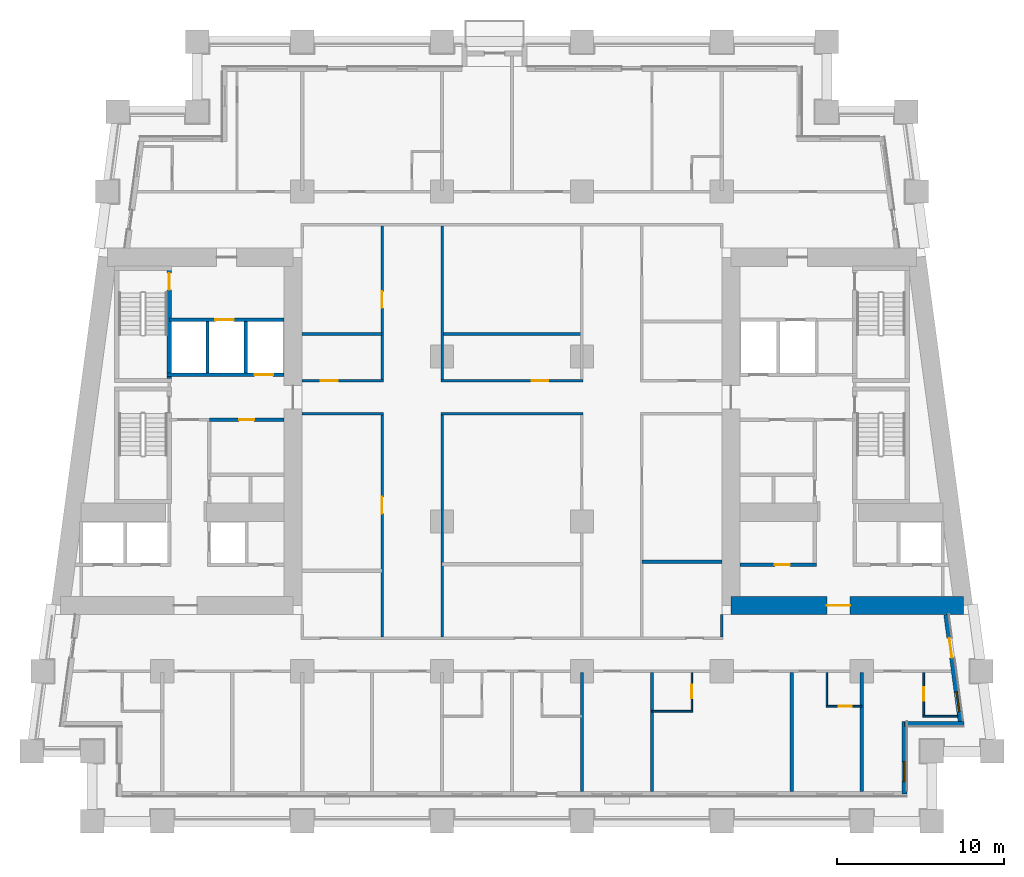
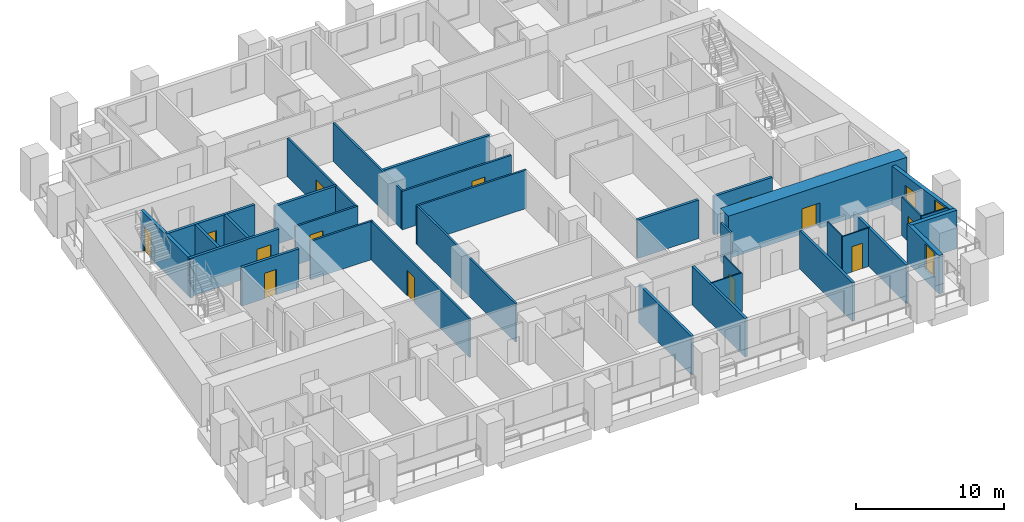
# One storey, part 4 of 12: 33 walls, 14 doors, 2 windows, 16 openings.
"""IFC4 building model written with IfcOpenShell, lengths in metres."""

from ifc_helpers import new_model, si_unit, direction, frame, frame_2d, origin, place, context, subcontext, project, spatial, rectangle, extrude, material, layer, layer_set, type_object, element, fill, save


model = new_model("IFC4")

# Units and contexts
model_context = context("Model", 3, precision=1e-05, world=origin(), true_north=direction((0.0, 1.0)))
body_context = subcontext(model_context, "Body", "Model", "MODEL_VIEW")
ifc_project = project(units=[si_unit("LENGTHUNIT", "METRE"), si_unit("AREAUNIT", "SQUARE_METRE"), si_unit("VOLUMEUNIT", "CUBIC_METRE"), si_unit("PLANEANGLEUNIT", "RADIAN"), si_unit("MASSUNIT", "GRAM", prefix="KILO")], contexts=[model_context])

# Site, building, storey
site_placement = place(None, origin())
site = spatial("IfcSite", under=ifc_project, at=site_placement, CompositionType="ELEMENT")
building_placement = place(site_placement, origin())
building = spatial("IfcBuilding", under=site, at=building_placement, Name="Candeia Pilgrim Tower and Theatre", CompositionType="ELEMENT")
storey_placement = place(building_placement, frame((0.0, 0.0, 46.0)))
storey = spatial("IfcBuildingStorey", under=building, at=storey_placement, Name="L08", CompositionType="ELEMENT", Elevation=46.0)

# Wall, opening, door
ifc_material_1 = material(Name="Concrete C80/95", Category="concrete")
ifc_layer_1 = layer(ifc_material_1, 1.10009765625)
ifc_layer_set_1 = layer_set([ifc_layer_1], Name="Core wall 1100 C80/95")
wall_type_1 = type_object("IfcWallType", Name="Core wall 1100 C80/95", PredefinedType="SHEAR", material=ifc_layer_set_1)
wall_1_placement = place(storey_placement, frame((140.501708984375, 110.949951171875, 0.0), z_axis=(0.0, 0.0, 1.0), x_axis=(-1.0, 0.0, 0.0)))
wall_1 = element("IfcWall", 1, at=wall_1_placement, inside=storey, type_object=wall_type_1, Name="Core wall E3", PredefinedType="SHEAR", context=body_context, shape_type="SweptSolid", body=[
    extrude(rectangle(XDim=13.95166015625, YDim=1.10009765625, at=frame_2d((6.975830078125, 0.0))), origin(), (0.0, 0.0, 1.0), 3.5),
])
opening_1_placement = place(wall_1_placement, frame((6.80419921875, 0.0, 0.0)))
opening_1 = element("IfcOpeningElement", 2, at=opening_1_placement, cuts=wall_1, Name="Opening L08-D056", PredefinedType="OPENING", context=body_context, shape_type="SweptSolid", body=[
    extrude(rectangle(XDim=1.39990234375, YDim=2.10009765625, at=frame_2d((0.699951171875, 1.050048828125))), frame((0.0, 0.56005859375, 0.0), z_axis=(0.0, -1.0, 0.0), x_axis=(1.0, 0.0, 0.0)), (0.0, 0.0, 1.0), 1.1201171875),
])
ifc_material_2 = material(Name="Steel fire door set", Category="steel")
door_type_1 = type_object("IfcDoorType", Name="D-1400-FD60", OperationType="NOTDEFINED", PredefinedType="DOOR", material=ifc_material_2)
door_1_placement = place(opening_1_placement, origin())
door_1 = element("IfcDoor", 3, at=door_1_placement, inside=storey, type_object=door_type_1, Name="Door L08-D056", OperationType="SINGLE_SWING_RIGHT", OverallHeight=2.10009765625, OverallWidth=1.39990234375, PredefinedType="DOOR", context=body_context, shape_type="SweptSolid", body=[
    extrude(rectangle(XDim=1.39990234375, YDim=2.10009765625, at=frame_2d((0.699951171875, 1.050048828125))), frame((0.0, 0.02490234375, 0.0), z_axis=(0.0, -1.0, 0.0), x_axis=(1.0, 0.0, 0.0)), (0.0, 0.0, 1.0), 0.050048828125),
])
fill(opening_1, door_1)

# Wall, opening, window
ifc_material_3 = material(Name="Ceramic block masonry", Category="masonry")
ifc_layer_2 = layer(ifc_material_3, 0.300048828125)
ifc_layer_set_2 = layer_set([ifc_layer_2], Name="EW1 glazing-line wall 300")
wall_type_2 = type_object("IfcWallType", Name="EW1 glazing-line wall 300", PredefinedType="SOLIDWALL", material=ifc_layer_set_2)
wall_2_placement = place(storey_placement, frame((136.949951171875, 99.64990234375, 0.0), z_axis=(0.0, 0.0, 1.0), x_axis=(0.0, 1.0, 0.0)))
wall_2 = element("IfcWall", 4, at=wall_2_placement, inside=storey, type_object=wall_type_2, Name="External wall L08-1.0", PredefinedType="SOLIDWALL", context=body_context, shape_type="SweptSolid", body=[
    extrude(rectangle(XDim=4.35009765625, YDim=0.300048828125, at=frame_2d((2.175048828125, 0.0))), origin(), (0.0, 0.0, 1.0), 3.179931640625),
])
opening_2_placement = place(wall_2_placement, frame((0.72509765625, 0.0, 0.89990234375)))
opening_2 = element("IfcOpeningElement", 5, at=opening_2_placement, cuts=wall_2, Name="Opening W-B", PredefinedType="OPENING", context=body_context, shape_type="SweptSolid", body=[
    extrude(rectangle(XDim=1.199951171875, YDim=2.10009765625, at=frame_2d((0.60009765625, 1.050048828125))), frame((0.0, 0.16015625, 0.0), z_axis=(0.0, -1.0, 0.0), x_axis=(1.0, 0.0, 0.0)), (0.0, 0.0, 1.0), 0.320068359375),
])
ifc_material_4 = material(Name="Aluminium framed double glazing", Category="aluminium")
window_type = type_object("IfcWindowType", Name="W-B window 1200x2100", PartitioningType="SINGLE_PANEL", PredefinedType="WINDOW", material=ifc_material_4)
window_1_placement = place(opening_2_placement, origin())
window_1 = element("IfcWindow", 6, at=window_1_placement, inside=storey, type_object=window_type, Name="Window W-B L08", OverallHeight=2.10009765625, OverallWidth=1.199951171875, PartitioningType="SINGLE_PANEL", PredefinedType="WINDOW", context=body_context, shape_type="SweptSolid", body=[
    extrude(rectangle(XDim=1.199951171875, YDim=2.10009765625, at=frame_2d((0.60009765625, 1.050048828125))), frame((0.0, 0.030029296875, 0.0), z_axis=(0.0, -1.0, 0.0), x_axis=(1.0, 0.0, 0.0)), (0.0, 0.0, 1.0), 0.06005859375),
])
fill(opening_2, window_1)

# Wall
wall_3_placement = place(storey_placement, frame((136.949951171875, 103.85009765625, 0.0), z_axis=(0.0, 0.0, 1.0), x_axis=(1.0, 0.0, 0.0)))
element("IfcWall", 7, at=wall_3_placement, inside=storey, type_object=wall_type_2, Name="External wall L08-2.0", PredefinedType="SOLIDWALL", context=body_context, shape_type="SweptSolid", body=[
    extrude(rectangle(XDim=3.569091796875, YDim=0.300048828125, at=frame_2d((1.78466796875, 0.0))), origin(), (0.0, 0.0, 1.0), 3.179931640625),
])

# Wall, openings, door, window
wall_4_placement = place(storey_placement, frame((140.34765625, 103.85009765625, 0.0), z_axis=(0.0, 0.0, 1.0), x_axis=(-0.133431549479, 0.991058031401, 0.0)))
wall_4 = element("IfcWall", 8, at=wall_4_placement, inside=storey, type_object=wall_type_2, Name="External wall L08-3.0", PredefinedType="SOLIDWALL", context=body_context, shape_type="SweptSolid", body=[
    extrude(rectangle(XDim=6.60888671875, YDim=0.300048828125, at=frame_2d((3.304443359375, 0.0))), origin(), (0.0, 0.0, 1.0), 3.179931640625),
])
opening_3_placement = place(wall_4_placement, frame((0.736572265625, 0.0, 0.89990234375)))
opening_3 = element("IfcOpeningElement", 9, at=opening_3_placement, cuts=wall_4, Name="Opening W-B", PredefinedType="OPENING", context=body_context, shape_type="SweptSolid", body=[
    extrude(rectangle(XDim=1.199951171875, YDim=2.10009765625, at=frame_2d((0.60009765625, 1.050048828125))), frame((0.0, 0.16015625, 0.0), z_axis=(0.0, -1.0, 0.0), x_axis=(1.0, 0.0, 0.0)), (0.0, 0.0, 1.0), 0.320068359375),
])
opening_4_placement = place(wall_4_placement, frame((3.990966796875, 0.0, 0.0)))
opening_4 = element("IfcOpeningElement", 10, at=opening_4_placement, cuts=wall_4, Name="Opening L08-ED102", PredefinedType="OPENING", context=body_context, shape_type="SweptSolid", body=[
    extrude(rectangle(XDim=1.199951171875, YDim=2.39990234375, at=frame_2d((0.60009765625, 1.199951171875))), frame((0.0, 0.16015625, 0.0), z_axis=(0.0, -1.0, 0.0), x_axis=(1.0, 0.0, 0.0)), (0.0, 0.0, 1.0), 0.320068359375),
])
ifc_material_5 = material(Name="Aluminium framed glazed door", Category="aluminium")
door_type_2 = type_object("IfcDoorType", Name="Loggia door 1200x2400", OperationType="DOUBLE_DOOR_SINGLE_SWING", PredefinedType="DOOR", material=ifc_material_5)
door_2_placement = place(opening_4_placement, origin())
door_2 = element("IfcDoor", 11, at=door_2_placement, inside=storey, type_object=door_type_2, Name="Loggia door L08-ED102", OperationType="DOUBLE_DOOR_SINGLE_SWING", OverallHeight=2.39990234375, OverallWidth=1.199951171875, PredefinedType="DOOR", context=body_context, shape_type="SweptSolid", body=[
    extrude(rectangle(XDim=1.199951171875, YDim=2.39990234375, at=frame_2d((0.60009765625, 1.199951171875))), frame((0.0, 0.02490234375, 0.0), z_axis=(0.0, -1.0, 0.0), x_axis=(1.0, 0.0, 0.0)), (0.0, 0.0, 1.0), 0.050048828125),
])
fill(opening_4, door_2)
window_2_placement = place(opening_3_placement, origin())
window_2 = element("IfcWindow", 12, at=window_2_placement, inside=storey, type_object=window_type, Name="Window W-B L08", OverallHeight=2.10009765625, OverallWidth=1.199951171875, PartitioningType="SINGLE_PANEL", PredefinedType="WINDOW", context=body_context, shape_type="SweptSolid", body=[
    extrude(rectangle(XDim=1.199951171875, YDim=2.10009765625, at=frame_2d((0.60009765625, 1.050048828125))), frame((0.0, 0.030029296875, 0.0), z_axis=(0.0, -1.0, 0.0), x_axis=(1.0, 0.0, 0.0)), (0.0, 0.0, 1.0), 0.06005859375),
])
fill(opening_3, window_2)

# Walls
ifc_material_6 = material(Name="Gypsum board partition on steel studs", Category="steel")
ifc_layer_3 = layer(ifc_material_6, 0.10009765625)
ifc_layer_set_3 = layer_set([ifc_layer_3], Name="PW-100 room partition")
wall_type_3 = type_object("IfcWallType", Name="PW-100 room partition", PredefinedType="PARTITIONING", material=ifc_layer_set_3)
wall_5_placement = place(storey_placement, frame((138.070068359375, 104.300048828125, 0.0), z_axis=(0.0, 0.0, 1.0), x_axis=(1.0, 0.0, 0.0)))
element("IfcWall", 13, at=wall_5_placement, inside=storey, type_object=wall_type_3, Name="Room partition L08-003", PredefinedType="PARTITIONING", context=body_context, shape_type="SweptSolid", body=[
    extrude(rectangle(XDim=2.07568359375, YDim=0.10009765625, at=frame_2d((1.037841796875, 0.0))), origin(), (0.0, 0.0, 1.0), 3.179931640625),
])
wall_6_placement = place(storey_placement, frame((121.800048828125, 104.60009765625, 0.0), z_axis=(0.0, 0.0, 1.0), x_axis=(1.0, 0.0, 0.0)))
element("IfcWall", 14, at=wall_6_placement, inside=storey, type_object=wall_type_3, Name="Room partition L08-005", PredefinedType="PARTITIONING", context=body_context, shape_type="SweptSolid", body=[
    extrude(rectangle(XDim=2.449951171875, YDim=0.10009765625, at=frame_2d((1.22509765625, 0.0))), origin(), (0.0, 0.0, 1.0), 3.179931640625),
])

# Wall, opening, door
wall_7_placement = place(storey_placement, frame((132.25, 104.89990234375, 0.0), z_axis=(0.0, 0.0, 1.0), x_axis=(1.0, 0.0, 0.0)))
wall_7 = element("IfcWall", 15, at=wall_7_placement, inside=storey, type_object=wall_type_3, Name="Room partition L08-006", PredefinedType="PARTITIONING", context=body_context, shape_type="SweptSolid", body=[
    extrude(rectangle(XDim=2.14990234375, YDim=0.10009765625, at=frame_2d((1.074951171875, 0.0))), origin(), (0.0, 0.0, 1.0), 3.179931640625),
])
opening_5_placement = place(wall_7_placement, frame((0.760009765625, 0.0, 0.0)))
opening_5 = element("IfcOpeningElement", 16, at=opening_5_placement, cuts=wall_7, Name="Opening L08-D028", PredefinedType="OPENING", context=body_context, shape_type="SweptSolid", body=[
    extrude(rectangle(XDim=0.800048828125, YDim=2.10009765625, at=frame_2d((0.39990234375, 1.050048828125))), frame((0.0, 0.06005859375, 0.0), z_axis=(0.0, -1.0, 0.0), x_axis=(1.0, 0.0, 0.0)), (0.0, 0.0, 1.0), 0.1201171875),
])
ifc_material_7 = material(Name="Timber door leaf", Category="wood")
door_type_3 = type_object("IfcDoorType", Name="D-800", OperationType="NOTDEFINED", PredefinedType="DOOR", material=ifc_material_7)
door_3_placement = place(opening_5_placement, origin())
door_3 = element("IfcDoor", 17, at=door_3_placement, inside=storey, type_object=door_type_3, Name="Door L08-D028", OperationType="SINGLE_SWING_RIGHT", OverallHeight=2.10009765625, OverallWidth=0.800048828125, PredefinedType="DOOR", context=body_context, shape_type="SweptSolid", body=[
    extrude(rectangle(XDim=0.800048828125, YDim=2.10009765625, at=frame_2d((0.39990234375, 1.050048828125))), frame((0.0, 0.02490234375, 0.0), z_axis=(0.0, -1.0, 0.0), x_axis=(1.0, 0.0, 0.0)), (0.0, 0.0, 1.0), 0.050048828125),
])
fill(opening_5, door_3)

wall_8_placement = place(storey_placement, frame((124.199951171875, 104.64990234375, 0.0), z_axis=(0.0, 0.0, 1.0), x_axis=(0.0, 1.0, 0.0)))
wall_8 = element("IfcWall", 18, at=wall_8_placement, inside=storey, type_object=wall_type_3, Name="Room partition L08-095", PredefinedType="PARTITIONING", context=body_context, shape_type="SweptSolid", body=[
    extrude(rectangle(XDim=2.275146484375, YDim=0.10009765625, at=frame_2d((1.1376953125, 0.0))), origin(), (0.0, 0.0, 1.0), 3.179931640625),
])
opening_6_placement = place(wall_8_placement, frame((0.75, 0.0, 0.0)))
opening_6 = element("IfcOpeningElement", 19, at=opening_6_placement, cuts=wall_8, Name="Opening L08-D026", PredefinedType="OPENING", context=body_context, shape_type="SweptSolid", body=[
    extrude(rectangle(XDim=0.800048828125, YDim=2.10009765625, at=frame_2d((0.39990234375, 1.050048828125))), frame((0.0, 0.06005859375, 0.0), z_axis=(0.0, -1.0, 0.0), x_axis=(1.0, 0.0, 0.0)), (0.0, 0.0, 1.0), 0.1201171875),
])
door_4_placement = place(opening_6_placement, origin())
door_4 = element("IfcDoor", 20, at=door_4_placement, inside=storey, type_object=door_type_3, Name="Door L08-D026", OperationType="SINGLE_SWING_RIGHT", OverallHeight=2.10009765625, OverallWidth=0.800048828125, PredefinedType="DOOR", context=body_context, shape_type="SweptSolid", body=[
    extrude(rectangle(XDim=0.800048828125, YDim=2.10009765625, at=frame_2d((0.39990234375, 1.050048828125))), frame((0.0, 0.02490234375, 0.0), z_axis=(0.0, -1.0, 0.0), x_axis=(1.0, 0.0, 0.0)), (0.0, 0.0, 1.0), 0.050048828125),
])
fill(opening_6, door_4)

# Wall
wall_9_placement = place(storey_placement, frame((132.300048828125, 104.949951171875, 0.0), z_axis=(0.0, 0.0, 1.0), x_axis=(0.0, 1.0, 0.0)))
element("IfcWall", 21, at=wall_9_placement, inside=storey, type_object=wall_type_3, Name="Room partition L08-107", PredefinedType="PARTITIONING", context=body_context, shape_type="SweptSolid", body=[
    extrude(rectangle(XDim=1.97509765625, YDim=0.10009765625, at=frame_2d((0.987548828125, 0.0))), origin(), (0.0, 0.0, 1.0), 3.179931640625),
])

# Wall, opening, door
wall_10_placement = place(storey_placement, frame((138.1201171875, 104.35009765625, 0.0), z_axis=(0.0, 0.0, 1.0), x_axis=(0.0, 1.0, 0.0)))
wall_10 = element("IfcWall", 22, at=wall_10_placement, inside=storey, type_object=wall_type_3, Name="Room partition L08-117", PredefinedType="PARTITIONING", context=body_context, shape_type="SweptSolid", body=[
    extrude(rectangle(XDim=2.574951171875, YDim=0.10009765625, at=frame_2d((1.28759765625, 0.0))), origin(), (0.0, 0.0, 1.0), 3.179931640625),
])
opening_7_placement = place(wall_10_placement, frame((0.89990234375, 0.0, 0.0)))
opening_7 = element("IfcOpeningElement", 23, at=opening_7_placement, cuts=wall_10, Name="Opening L08-D030", PredefinedType="OPENING", context=body_context, shape_type="SweptSolid", body=[
    extrude(rectangle(XDim=0.800048828125, YDim=2.10009765625, at=frame_2d((0.39990234375, 1.050048828125))), frame((0.0, 0.06005859375, 0.0), z_axis=(0.0, -1.0, 0.0), x_axis=(1.0, 0.0, 0.0)), (0.0, 0.0, 1.0), 0.1201171875),
])
door_5_placement = place(opening_7_placement, origin())
door_5 = element("IfcDoor", 24, at=door_5_placement, inside=storey, type_object=door_type_3, Name="Door L08-D030", OperationType="SINGLE_SWING_RIGHT", OverallHeight=2.10009765625, OverallWidth=0.800048828125, PredefinedType="DOOR", context=body_context, shape_type="SweptSolid", body=[
    extrude(rectangle(XDim=0.800048828125, YDim=2.10009765625, at=frame_2d((0.39990234375, 1.050048828125))), frame((0.0, 0.02490234375, 0.0), z_axis=(0.0, -1.0, 0.0), x_axis=(1.0, 0.0, 0.0)), (0.0, 0.0, 1.0), 0.050048828125),
])
fill(opening_7, door_5)

# Walls
ifc_layer_4 = layer(ifc_material_6, 0.14990234375)
ifc_layer_set_4 = layer_set([ifc_layer_4], Name="PW-150 unit wall")
wall_type_4 = type_object("IfcWallType", Name="PW-150 unit wall", PredefinedType="PARTITIONING", material=ifc_layer_set_4)
wall_11_placement = place(storey_placement, frame((100.800048828125, 122.449951171875, 0.0), z_axis=(0.0, 0.0, 1.0), x_axis=(1.0, 0.0, 0.0)))
element("IfcWall", 25, at=wall_11_placement, inside=storey, type_object=wall_type_4, Name="Unit wall L08-024", PredefinedType="PARTITIONING", context=body_context, shape_type="SweptSolid", body=[
    extrude(rectangle(XDim=4.875, YDim=0.14990234375, at=frame_2d((2.4375, 0.0))), origin(), (0.0, 0.0, 1.0), 3.179931640625),
])
wall_12_placement = place(storey_placement, frame((109.125, 122.449951171875, 0.0), z_axis=(0.0, 0.0, 1.0), x_axis=(1.0, 0.0, 0.0)))
element("IfcWall", 26, at=wall_12_placement, inside=storey, type_object=wall_type_4, Name="Unit wall L08-025", PredefinedType="PARTITIONING", context=body_context, shape_type="SweptSolid", body=[
    extrude(rectangle(XDim=8.550048828125, YDim=0.14990234375, at=frame_2d((4.27490234375, 0.0))), origin(), (0.0, 0.0, 1.0), 3.179931640625),
])

# Wall, opening, door
wall_13_placement = place(storey_placement, frame((100.800048828125, 124.449951171875, 0.0), z_axis=(0.0, 0.0, 1.0), x_axis=(1.0, 0.0, 0.0)))
wall_13 = element("IfcWall", 27, at=wall_13_placement, inside=storey, type_object=wall_type_4, Name="Unit wall L08-031", PredefinedType="PARTITIONING", context=body_context, shape_type="SweptSolid", body=[
    extrude(rectangle(XDim=4.875, YDim=0.14990234375, at=frame_2d((2.4375, 0.0))), origin(), (0.0, 0.0, 1.0), 3.179931640625),
])
opening_8_placement = place(wall_13_placement, frame((1.125, 0.0, 0.0)))
opening_8 = element("IfcOpeningElement", 28, at=opening_8_placement, cuts=wall_13, Name="Opening L08-D043", PredefinedType="OPENING", context=body_context, shape_type="SweptSolid", body=[
    extrude(rectangle(XDim=1.0, YDim=2.10009765625, at=frame_2d((0.5, 1.050048828125))), frame((0.0, 0.0849609375, 0.0), z_axis=(0.0, -1.0, 0.0), x_axis=(1.0, 0.0, 0.0)), (0.0, 0.0, 1.0), 0.169921875),
])
door_type_4 = type_object("IfcDoorType", Name="D-1000-FD30S", OperationType="NOTDEFINED", PredefinedType="DOOR", material=ifc_material_2)
door_6_placement = place(opening_8_placement, origin())
door_6 = element("IfcDoor", 29, at=door_6_placement, inside=storey, type_object=door_type_4, Name="Door L08-D043", OperationType="SINGLE_SWING_LEFT", OverallHeight=2.10009765625, OverallWidth=1.0, PredefinedType="DOOR", context=body_context, shape_type="SweptSolid", body=[
    extrude(rectangle(XDim=1.0, YDim=2.10009765625, at=frame_2d((0.5, 1.050048828125))), frame((0.0, 0.02490234375, 0.0), z_axis=(0.0, -1.0, 0.0), x_axis=(1.0, 0.0, 0.0)), (0.0, 0.0, 1.0), 0.050048828125),
])
fill(opening_8, door_6)

wall_14_placement = place(storey_placement, frame((109.125, 124.449951171875, 0.0), z_axis=(0.0, 0.0, 1.0), x_axis=(1.0, 0.0, 0.0)))
wall_14 = element("IfcWall", 30, at=wall_14_placement, inside=storey, type_object=wall_type_4, Name="Unit wall L08-032", PredefinedType="PARTITIONING", context=body_context, shape_type="SweptSolid", body=[
    extrude(rectangle(XDim=8.550048828125, YDim=0.14990234375, at=frame_2d((4.27490234375, 0.0))), origin(), (0.0, 0.0, 1.0), 3.179931640625),
])
opening_9_placement = place(wall_14_placement, frame((5.449951171875, 0.0, 0.0)))
opening_9 = element("IfcOpeningElement", 31, at=opening_9_placement, cuts=wall_14, Name="Opening L08-D047", PredefinedType="OPENING", context=body_context, shape_type="SweptSolid", body=[
    extrude(rectangle(XDim=1.0, YDim=2.10009765625, at=frame_2d((0.5, 1.050048828125))), frame((0.0, 0.0849609375, 0.0), z_axis=(0.0, -1.0, 0.0), x_axis=(1.0, 0.0, 0.0)), (0.0, 0.0, 1.0), 0.169921875),
])
door_7_placement = place(opening_9_placement, origin())
door_7 = element("IfcDoor", 32, at=door_7_placement, inside=storey, type_object=door_type_4, Name="Door L08-D047", OperationType="SINGLE_SWING_LEFT", OverallHeight=2.10009765625, OverallWidth=1.0, PredefinedType="DOOR", context=body_context, shape_type="SweptSolid", body=[
    extrude(rectangle(XDim=1.0, YDim=2.10009765625, at=frame_2d((0.5, 1.050048828125))), frame((0.0, 0.02490234375, 0.0), z_axis=(0.0, -1.0, 0.0), x_axis=(1.0, 0.0, 0.0)), (0.0, 0.0, 1.0), 0.050048828125),
])
fill(opening_9, door_7)

wall_15_placement = place(storey_placement, frame((105.60009765625, 109.074951171875, 0.0), z_axis=(0.0, 0.0, 1.0), x_axis=(0.0, 1.0, 0.0)))
wall_15 = element("IfcWall", 33, at=wall_15_placement, inside=storey, type_object=wall_type_4, Name="Unit wall L08-077", PredefinedType="PARTITIONING", context=body_context, shape_type="SweptSolid", body=[
    extrude(rectangle(XDim=13.300048828125, YDim=0.14990234375, at=frame_2d((6.64990234375, 0.0))), origin(), (0.0, 0.0, 1.0), 3.179931640625),
])
opening_10_placement = place(wall_15_placement, frame((7.39599609375, 0.0, 0.0)))
opening_10 = element("IfcOpeningElement", 34, at=opening_10_placement, cuts=wall_15, Name="Opening L08-D042", PredefinedType="OPENING", context=body_context, shape_type="SweptSolid", body=[
    extrude(rectangle(XDim=1.0, YDim=2.10009765625, at=frame_2d((0.5, 1.050048828125))), frame((0.0, 0.0849609375, 0.0), z_axis=(0.0, -1.0, 0.0), x_axis=(1.0, 0.0, 0.0)), (0.0, 0.0, 1.0), 0.169921875),
])
door_8_placement = place(opening_10_placement, origin())
door_8 = element("IfcDoor", 35, at=door_8_placement, inside=storey, type_object=door_type_4, Name="Door L08-D042", OperationType="SINGLE_SWING_RIGHT", OverallHeight=2.10009765625, OverallWidth=1.0, PredefinedType="DOOR", context=body_context, shape_type="SweptSolid", body=[
    extrude(rectangle(XDim=1.0, YDim=2.10009765625, at=frame_2d((0.5, 1.050048828125))), frame((0.0, 0.02490234375, 0.0), z_axis=(0.0, -1.0, 0.0), x_axis=(1.0, 0.0, 0.0)), (0.0, 0.0, 1.0), 0.050048828125),
])
fill(opening_10, door_8)

wall_16_placement = place(storey_placement, frame((105.60009765625, 124.52490234375, 0.0), z_axis=(0.0, 0.0, 1.0), x_axis=(0.0, 1.0, 0.0)))
wall_16 = element("IfcWall", 36, at=wall_16_placement, inside=storey, type_object=wall_type_4, Name="Unit wall L08-078", PredefinedType="PARTITIONING", context=body_context, shape_type="SweptSolid", body=[
    extrude(rectangle(XDim=9.2001953125, YDim=0.14990234375, at=frame_2d((4.60009765625, 0.0))), origin(), (0.0, 0.0, 1.0), 3.179931640625),
])
opening_11_placement = place(wall_16_placement, frame((4.291015625, 0.0, 0.0)))
opening_11 = element("IfcOpeningElement", 37, at=opening_11_placement, cuts=wall_16, Name="Opening L08-D044", PredefinedType="OPENING", context=body_context, shape_type="SweptSolid", body=[
    extrude(rectangle(XDim=1.0, YDim=2.10009765625, at=frame_2d((0.5, 1.050048828125))), frame((0.0, 0.0849609375, 0.0), z_axis=(0.0, -1.0, 0.0), x_axis=(1.0, 0.0, 0.0)), (0.0, 0.0, 1.0), 0.169921875),
])
door_9_placement = place(opening_11_placement, origin())
door_9 = element("IfcDoor", 38, at=door_9_placement, inside=storey, type_object=door_type_4, Name="Door L08-D044", OperationType="SINGLE_SWING_RIGHT", OverallHeight=2.10009765625, OverallWidth=1.0, PredefinedType="DOOR", context=body_context, shape_type="SweptSolid", body=[
    extrude(rectangle(XDim=1.0, YDim=2.10009765625, at=frame_2d((0.5, 1.050048828125))), frame((0.0, 0.02490234375, 0.0), z_axis=(0.0, -1.0, 0.0), x_axis=(1.0, 0.0, 0.0)), (0.0, 0.0, 1.0), 0.050048828125),
])
fill(opening_11, door_9)

# Walls
wall_17_placement = place(storey_placement, frame((109.199951171875, 109.074951171875, 0.0), z_axis=(0.0, 0.0, 1.0), x_axis=(0.0, 1.0, 0.0)))
element("IfcWall", 39, at=wall_17_placement, inside=storey, type_object=wall_type_4, Name="Unit wall L08-082", PredefinedType="PARTITIONING", context=body_context, shape_type="SweptSolid", body=[
    extrude(rectangle(XDim=13.300048828125, YDim=0.14990234375, at=frame_2d((6.64990234375, 0.0))), origin(), (0.0, 0.0, 1.0), 3.179931640625),
])
wall_18_placement = place(storey_placement, frame((109.199951171875, 124.52490234375, 0.0), z_axis=(0.0, 0.0, 1.0), x_axis=(0.0, 1.0, 0.0)))
element("IfcWall", 40, at=wall_18_placement, inside=storey, type_object=wall_type_4, Name="Unit wall L08-083", PredefinedType="PARTITIONING", context=body_context, shape_type="SweptSolid", body=[
    extrude(rectangle(XDim=9.2001953125, YDim=0.14990234375, at=frame_2d((4.60009765625, 0.0))), origin(), (0.0, 0.0, 1.0), 3.179931640625),
])
wall_19_placement = place(storey_placement, frame((126.0, 109.074951171875, 0.0), z_axis=(0.0, 0.0, 1.0), x_axis=(0.0, 1.0, 0.0)))
element("IfcWall", 41, at=wall_19_placement, inside=storey, type_object=wall_type_4, Name="Unit wall L08-098", PredefinedType="PARTITIONING", context=body_context, shape_type="SweptSolid", body=[
    extrude(rectangle(XDim=1.324951171875, YDim=0.14990234375, at=frame_2d((0.66259765625, 0.0))), origin(), (0.0, 0.0, 1.0), 3.179931640625),
])
ifc_layer_5 = layer(ifc_material_6, 0.199951171875)
ifc_layer_set_5 = layer_set([ifc_layer_5], Name="PW-200 party wall")
wall_type_5 = type_object("IfcWallType", Name="PW-200 party wall", PredefinedType="PARTITIONING", material=ifc_layer_set_5)
for number, where, z_axis, x_axis, name in (
    (42, (121.199951171875, 113.572998046875, 0.0), (0.0, 0.0, 1.0), (1.0, 0.0, 0.0), "Party wall L08-015"),
    (43, (100.800048828125, 127.2548828125, 0.0), (0.0, 0.0, 1.0), (1.0, 0.0, 0.0), "Party wall L08-037"),
):
    element("IfcWall", number, at=place(storey_placement, frame(where, z_axis=z_axis, x_axis=x_axis)), inside=storey, type_object=wall_type_5, Name=name, PredefinedType="PARTITIONING", context=body_context, shape_type="SweptSolid", body=[
        extrude(rectangle(XDim=4.800048828125, YDim=0.199951171875, at=frame_2d((2.39990234375, 0.0))), origin(), (0.0, 0.0, 1.0), 3.179931640625),
    ])
wall_20_placement = place(storey_placement, frame((109.199951171875, 127.2548828125, 0.0), z_axis=(0.0, 0.0, 1.0), x_axis=(1.0, 0.0, 0.0)))
element("IfcWall", 44, at=wall_20_placement, inside=storey, type_object=wall_type_5, Name="Party wall L08-038", PredefinedType="PARTITIONING", context=body_context, shape_type="SweptSolid", body=[
    extrude(rectangle(XDim=8.400146484375, YDim=0.199951171875, at=frame_2d((4.2001953125, 0.0))), origin(), (0.0, 0.0, 1.0), 3.179931640625),
])
for number, where, z_axis, x_axis, name in (
    (45, (117.60009765625, 99.7900390625, 0.0), (0.0, 0.0, 1.0), (0.0, 1.0, 0.0), "Party wall L08-088"),
    (46, (121.800048828125, 99.7900390625, 0.0), (0.0, 0.0, 1.0), (0.0, 1.0, 0.0), "Party wall L08-094"),
    (47, (130.199951171875, 99.7900390625, 0.0), (0.0, 0.0, 1.0), (0.0, 1.0, 0.0), "Party wall L08-102"),
    (48, (134.39990234375, 99.7900390625, 0.0), (0.0, 0.0, 1.0), (0.0, 1.0, 0.0), "Party wall L08-113"),
):
    element("IfcWall", number, at=place(storey_placement, frame(where, z_axis=z_axis, x_axis=x_axis)), inside=storey, type_object=wall_type_5, Name=name, PredefinedType="PARTITIONING", context=body_context, shape_type="SweptSolid", body=[
        extrude(rectangle(XDim=7.135009765625, YDim=0.199951171875, at=frame_2d((3.5673828125, 0.0))), origin(), (0.0, 0.0, 1.0), 3.179931640625),
    ])

# Wall, opening, door
ifc_material_8 = material(Name="Concrete C40/50", Category="concrete")
ifc_layer_6 = layer(ifc_material_8, 0.199951171875)
ifc_layer_set_6 = layer_set([ifc_layer_6], Name="SW-200 shaft wall")
wall_type_6 = type_object("IfcWallType", Name="SW-200 shaft wall", PredefinedType="PARTITIONING", material=ifc_layer_set_6)
wall_21_placement = place(storey_placement, frame((127.10009765625, 113.39990234375, 0.0), z_axis=(0.0, 0.0, 1.0), x_axis=(1.0, 0.0, 0.0)))
wall_21 = element("IfcWall", 49, at=wall_21_placement, inside=storey, type_object=wall_type_6, Name="Shaft wall L08-012", PredefinedType="PARTITIONING", context=body_context, shape_type="SweptSolid", body=[
    extrude(rectangle(XDim=4.572998046875, YDim=0.199951171875, at=frame_2d((2.28662109375, 0.0))), origin(), (0.0, 0.0, 1.0), 3.179931640625),
])
opening_12_placement = place(wall_21_placement, frame((2.073974609375, 0.0, 0.0)))
opening_12 = element("IfcOpeningElement", 50, at=opening_12_placement, cuts=wall_21, Name="Opening L08-D013", PredefinedType="OPENING", context=body_context, shape_type="SweptSolid", body=[
    extrude(rectangle(XDim=0.89990234375, YDim=2.10009765625, at=frame_2d((0.449951171875, 1.050048828125))), frame((0.0, 0.10986328125, 0.0), z_axis=(0.0, -1.0, 0.0), x_axis=(1.0, 0.0, 0.0)), (0.0, 0.0, 1.0), 0.219970703125),
])
door_type_5 = type_object("IfcDoorType", Name="D-900-FD60", OperationType="NOTDEFINED", PredefinedType="DOOR", material=ifc_material_2)
door_10_placement = place(opening_12_placement, origin())
door_10 = element("IfcDoor", 51, at=door_10_placement, inside=storey, type_object=door_type_5, Name="Door L08-D013", OperationType="SINGLE_SWING_LEFT", OverallHeight=2.10009765625, OverallWidth=0.89990234375, PredefinedType="DOOR", context=body_context, shape_type="SweptSolid", body=[
    extrude(rectangle(XDim=0.89990234375, YDim=2.10009765625, at=frame_2d((0.449951171875, 1.050048828125))), frame((0.0, 0.02490234375, 0.0), z_axis=(0.0, -1.0, 0.0), x_axis=(1.0, 0.0, 0.0)), (0.0, 0.0, 1.0), 0.050048828125),
])
fill(opening_12, door_10)

wall_22_placement = place(storey_placement, frame((95.22705078125, 122.10009765625, 0.0), z_axis=(0.0, 0.0, 1.0), x_axis=(1.0, 0.0, 0.0)))
wall_22 = element("IfcWall", 52, at=wall_22_placement, inside=storey, type_object=wall_type_6, Name="Shaft wall L08-020", PredefinedType="PARTITIONING", context=body_context, shape_type="SweptSolid", body=[
    extrude(rectangle(XDim=4.472900390625, YDim=0.199951171875, at=frame_2d((2.236328125, 0.0))), origin(), (0.0, 0.0, 1.0), 3.179931640625),
])
opening_13_placement = place(wall_22_placement, frame((1.785888671875, 0.0, 0.0)))
opening_13 = element("IfcOpeningElement", 53, at=opening_13_placement, cuts=wall_22, Name="Opening L08-D002", PredefinedType="OPENING", context=body_context, shape_type="SweptSolid", body=[
    extrude(rectangle(XDim=0.89990234375, YDim=2.10009765625, at=frame_2d((0.449951171875, 1.050048828125))), frame((0.0, 0.10986328125, 0.0), z_axis=(0.0, -1.0, 0.0), x_axis=(1.0, 0.0, 0.0)), (0.0, 0.0, 1.0), 0.219970703125),
])
door_11_placement = place(opening_13_placement, origin())
door_11 = element("IfcDoor", 54, at=door_11_placement, inside=storey, type_object=door_type_5, Name="Door L08-D002", OperationType="SINGLE_SWING_RIGHT", OverallHeight=2.10009765625, OverallWidth=0.89990234375, PredefinedType="DOOR", context=body_context, shape_type="SweptSolid", body=[
    extrude(rectangle(XDim=0.89990234375, YDim=2.10009765625, at=frame_2d((0.449951171875, 1.050048828125))), frame((0.0, 0.02490234375, 0.0), z_axis=(0.0, -1.0, 0.0), x_axis=(1.0, 0.0, 0.0)), (0.0, 0.0, 1.0), 0.050048828125),
])
fill(opening_13, door_11)

wall_23_placement = place(storey_placement, frame((92.701904296875, 124.800048828125, 0.0), z_axis=(0.0, 0.0, 1.0), x_axis=(1.0, 0.0, 0.0)))
wall_23 = element("IfcWall", 55, at=wall_23_placement, inside=storey, type_object=wall_type_6, Name="Shaft wall L08-034", PredefinedType="PARTITIONING", context=body_context, shape_type="SweptSolid", body=[
    extrude(rectangle(XDim=6.998046875, YDim=0.199951171875, at=frame_2d((3.4990234375, 0.0))), origin(), (0.0, 0.0, 1.0), 3.179931640625),
])
opening_14_placement = place(wall_23_placement, frame((5.2529296875, 0.0, 0.0)))
opening_14 = element("IfcOpeningElement", 56, at=opening_14_placement, cuts=wall_23, Name="Opening L08-LD02", PredefinedType="OPENING", context=body_context, shape_type="SweptSolid", body=[
    extrude(rectangle(XDim=1.10009765625, YDim=2.10009765625, at=frame_2d((0.550048828125, 1.050048828125))), frame((0.0, 0.10986328125, 0.0), z_axis=(0.0, -1.0, 0.0), x_axis=(1.0, 0.0, 0.0)), (0.0, 0.0, 1.0), 0.219970703125),
])
ifc_material_9 = material(Name="Glazed aluminium landing door", Category="aluminium")
door_type_6 = type_object("IfcDoorType", Name="LD-1100-EI120", OperationType="SLIDING_TO_LEFT", PredefinedType="DOOR", material=ifc_material_9)
door_12_placement = place(opening_14_placement, origin())
door_12 = element("IfcDoor", 57, at=door_12_placement, inside=storey, type_object=door_type_6, Name="Landing door 02 L08", OperationType="SLIDING_TO_LEFT", OverallHeight=2.10009765625, OverallWidth=1.10009765625, PredefinedType="DOOR", context=body_context, shape_type="SweptSolid", body=[
    extrude(rectangle(XDim=1.10009765625, YDim=2.10009765625, at=frame_2d((0.550048828125, 1.050048828125))), frame((0.0, 0.02490234375, 0.0), z_axis=(0.0, -1.0, 0.0), x_axis=(1.0, 0.0, 0.0)), (0.0, 0.0, 1.0), 0.050048828125),
])
fill(opening_14, door_12)

wall_24_placement = place(storey_placement, frame((92.826904296875, 128.10009765625, 0.0), z_axis=(0.0, 0.0, 1.0), x_axis=(1.0, 0.0, 0.0)))
wall_24 = element("IfcWall", 58, at=wall_24_placement, inside=storey, type_object=wall_type_6, Name="Shaft wall L08-040", PredefinedType="PARTITIONING", context=body_context, shape_type="SweptSolid", body=[
    extrude(rectangle(XDim=6.873046875, YDim=0.199951171875, at=frame_2d((3.4365234375, 0.0))), origin(), (0.0, 0.0, 1.0), 3.179931640625),
])
opening_15_placement = place(wall_24_placement, frame((2.763916015625, 0.0, 0.0)))
opening_15 = element("IfcOpeningElement", 59, at=opening_15_placement, cuts=wall_24, Name="Opening L08-LD01", PredefinedType="OPENING", context=body_context, shape_type="SweptSolid", body=[
    extrude(rectangle(XDim=1.10009765625, YDim=2.10009765625, at=frame_2d((0.550048828125, 1.050048828125))), frame((0.0, 0.10986328125, 0.0), z_axis=(0.0, -1.0, 0.0), x_axis=(1.0, 0.0, 0.0)), (0.0, 0.0, 1.0), 0.219970703125),
])
door_13_placement = place(opening_15_placement, origin())
door_13 = element("IfcDoor", 60, at=door_13_placement, inside=storey, type_object=door_type_6, Name="Landing door 01 L08", OperationType="SLIDING_TO_LEFT", OverallHeight=2.10009765625, OverallWidth=1.10009765625, PredefinedType="DOOR", context=body_context, shape_type="SweptSolid", body=[
    extrude(rectangle(XDim=1.10009765625, YDim=2.10009765625, at=frame_2d((0.550048828125, 1.050048828125))), frame((0.0, 0.02490234375, 0.0), z_axis=(0.0, -1.0, 0.0), x_axis=(1.0, 0.0, 0.0)), (0.0, 0.0, 1.0), 0.050048828125),
])
fill(opening_15, door_13)

# Walls
for number, where, z_axis, x_axis, name in (
    (61, (95.117919921875, 124.89990234375, 0.0), (0.0, 0.0, 1.0), (0.0, 1.0, 0.0), "Shaft wall L08-064"),
    (62, (97.408935546875, 124.89990234375, 0.0), (0.0, 0.0, 1.0), (0.0, 1.0, 0.0), "Shaft wall L08-069"),
):
    element("IfcWall", number, at=place(storey_placement, frame(where, z_axis=z_axis, x_axis=x_axis)), inside=storey, type_object=wall_type_6, Name=name, PredefinedType="PARTITIONING", context=body_context, shape_type="SweptSolid", body=[
        extrude(rectangle(XDim=3.10009765625, YDim=0.199951171875, at=frame_2d((1.550048828125, 0.0))), origin(), (0.0, 0.0, 1.0), 3.179931640625),
    ])

# Wall, opening, door
ifc_layer_7 = layer(ifc_material_8, 0.25)
ifc_layer_set_7 = layer_set([ifc_layer_7], Name="SW-250 stair wall")
wall_type_7 = type_object("IfcWallType", Name="SW-250 stair wall", PredefinedType="PARTITIONING", material=ifc_layer_set_7)
wall_25_placement = place(storey_placement, frame((92.826904296875, 124.574951171875, 0.0), z_axis=(0.0, 0.0, 1.0), x_axis=(0.0, 1.0, 0.0)))
wall_25 = element("IfcWall", 63, at=wall_25_placement, inside=storey, type_object=wall_type_7, Name="Stair wall L08-061", PredefinedType="PARTITIONING", context=body_context, shape_type="SweptSolid", body=[
    extrude(rectangle(XDim=6.755126953125, YDim=0.25, at=frame_2d((3.37744140625, 0.0))), origin(), (0.0, 0.0, 1.0), 3.179931640625),
])
opening_16_placement = place(wall_25_placement, frame((5.324951171875, 0.0, 0.0)))
opening_16 = element("IfcOpeningElement", 64, at=opening_16_placement, cuts=wall_25, Name="Opening L08-D004", PredefinedType="OPENING", context=body_context, shape_type="SweptSolid", body=[
    extrude(rectangle(XDim=1.0, YDim=2.10009765625, at=frame_2d((0.5, 1.050048828125))), frame((0.0, 0.135009765625, 0.0), z_axis=(0.0, -1.0, 0.0), x_axis=(1.0, 0.0, 0.0)), (0.0, 0.0, 1.0), 0.27001953125),
])
door_type_7 = type_object("IfcDoorType", Name="D-1000-FD60", OperationType="NOTDEFINED", PredefinedType="DOOR", material=ifc_material_2)
door_14_placement = place(opening_16_placement, origin())
door_14 = element("IfcDoor", 65, at=door_14_placement, inside=storey, type_object=door_type_7, Name="Door L08-D004", OperationType="SINGLE_SWING_RIGHT", OverallHeight=2.10009765625, OverallWidth=1.0, PredefinedType="DOOR", context=body_context, shape_type="SweptSolid", body=[
    extrude(rectangle(XDim=1.0, YDim=2.10009765625, at=frame_2d((0.5, 1.050048828125))), frame((0.0, 0.02490234375, 0.0), z_axis=(0.0, -1.0, 0.0), x_axis=(1.0, 0.0, 0.0)), (0.0, 0.0, 1.0), 0.050048828125),
])
fill(opening_16, door_14)

save(model, "model.ifc")
